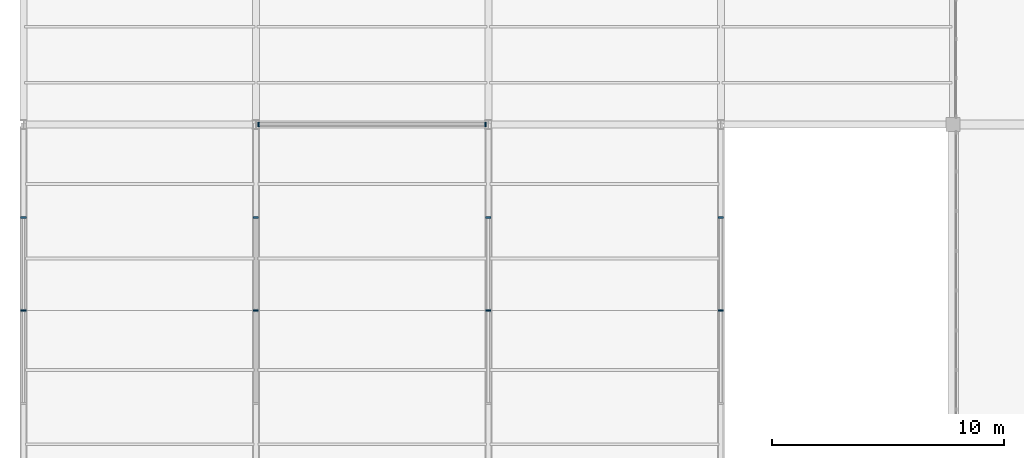
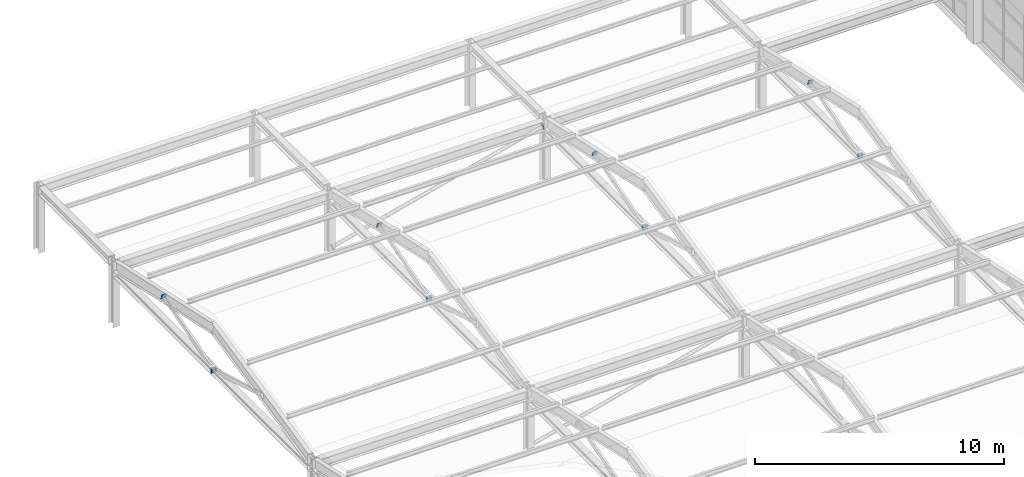
# One storey, part 81 of 109: 14 plates.
"""IFC4 building model written with IfcOpenShell, lengths in metres."""

from ifc_helpers import new_model, si_unit, direction, frame, origin, origin_2d, place, context, subcontext, project, spatial, rectangle, extrude, material, layer, layer_set, type_object, element, save


model = new_model("IFC4")

# Units and contexts
model_context = context("Model", 3, precision=1e-05, world=origin(), true_north=direction((0.0, 1.0)))
body_context = subcontext(model_context, "Body", "Model", "MODEL_VIEW")
ifc_project = project(units=[si_unit("LENGTHUNIT", "METRE"), si_unit("AREAUNIT", "SQUARE_METRE"), si_unit("VOLUMEUNIT", "CUBIC_METRE"), si_unit("PLANEANGLEUNIT", "RADIAN"), si_unit("MASSUNIT", "GRAM", prefix="KILO")], contexts=[model_context])

# Site, building, storey
site_placement = place(None, origin())
site = spatial("IfcSite", under=ifc_project, at=site_placement, CompositionType="ELEMENT")
building_placement = place(site_placement, origin())
building = spatial("IfcBuilding", under=site, at=building_placement, Name="Kivolera Central Railway Station", CompositionType="ELEMENT")
storey_placement = place(building_placement, frame((0.0, 0.0, 9.60009765625)))
storey = spatial("IfcBuildingStorey", under=building, at=storey_placement, Name="L02", CompositionType="ELEMENT", Elevation=9.60009765625)

# Plates
ifc_material = material(Name="Steel S355", Category="steel")
ifc_layer_1 = layer(ifc_material, 0.02001953125, Name="Steel S355")
ifc_layer_set_1 = layer_set([ifc_layer_1], Name="Steel S355")
plate_type_1 = type_object("IfcPlateType", Name="PLT-CAP-210", PredefinedType="SHEET", material=ifc_layer_set_1)
for number, where, z_axis, x_axis, name in (
    (1, (18.123046875, 48.0, 0.2490234375), (0.968639336195, 0.0, 0.24847099705), (0.0, 1.0, 0.0), "Hollow section end-cap plate NP-CAP3"),
    (2, (27.876953125, 48.0, 2.7509765625), (0.968639336195, 0.0, 0.24847099705), (0.0, 1.0, 0.0), "Hollow section end-cap plate NP-CAP3"),
):
    element("IfcPlate", number, at=place(storey_placement, frame(where, z_axis=z_axis, x_axis=x_axis)), inside=storey, type_object=plate_type_1, Name=name, PredefinedType="SHEET", context=body_context, shape_type="SweptSolid", body=[
        extrude(rectangle(XDim=0.2099609375, YDim=0.2099609375, at=origin_2d()), frame((0.0, 0.0, -0.010009765625)), (0.0, 0.0, 1.0), 0.02001953125),
    ])
ifc_layer_2 = layer(ifc_material, 0.02197265625, Name="Steel S355")
ifc_layer_set_2 = layer_set([ifc_layer_2], Name="Steel S355")
plate_type_2 = type_object("IfcPlateType", Name="PLT-CAP-260", PredefinedType="SHEET", material=ifc_layer_set_2)
for number, where, z_axis, x_axis, name in (
    (3, (8.0, 40.00390625, 2.618896484375), (0.0, -0.958810202665, 0.284047522901), (1.0, 0.0, 0.0), "Hollow section end-cap plate NP-CAP2"),
    (4, (8.0, 39.99609375, 2.618896484375), (0.0, 0.958810202665, 0.284047522901), (-1.0, 0.0, 0.0), "Hollow section end-cap plate NP-CAP2"),
    (5, (8.0, 44.00390625, 3.805908203125), (0.0, 0.958810202665, 0.284047522901), (-1.0, 0.0, 0.0), "Hollow section end-cap plate NP-CAP2"),
    (6, (18.0, 40.00390625, 2.618896484375), (0.0, -0.958810202665, 0.284047522901), (1.0, 0.0, 0.0), "Hollow section end-cap plate NP-CAP2"),
    (7, (18.0, 39.99609375, 2.618896484375), (0.0, 0.958810202665, 0.284047522901), (-1.0, 0.0, 0.0), "Hollow section end-cap plate NP-CAP2"),
    (8, (18.0, 44.00390625, 3.805908203125), (0.0, 0.958810202665, 0.284047522901), (-1.0, 0.0, 0.0), "Hollow section end-cap plate NP-CAP2"),
    (9, (28.0, 40.00390625, 2.618896484375), (0.0, -0.958810202665, 0.284047522901), (1.0, 0.0, 0.0), "Hollow section end-cap plate NP-CAP2"),
    (10, (28.0, 39.99609375, 2.618896484375), (0.0, 0.958810202665, 0.284047522901), (-1.0, 0.0, 0.0), "Hollow section end-cap plate NP-CAP2"),
    (11, (28.0, 44.00390625, 3.805908203125), (0.0, 0.958810202665, 0.284047522901), (-1.0, 0.0, 0.0), "Hollow section end-cap plate NP-CAP2"),
    (12, (38.0, 40.00390625, 2.618896484375), (0.0, -0.958810202665, 0.284047522901), (1.0, 0.0, 0.0), "Hollow section end-cap plate NP-CAP2"),
    (13, (38.0, 39.99609375, 2.618896484375), (0.0, 0.958810202665, 0.284047522901), (-1.0, 0.0, 0.0), "Hollow section end-cap plate NP-CAP2"),
    (14, (38.0, 44.00390625, 3.805908203125), (0.0, 0.958810202665, 0.284047522901), (-1.0, 0.0, 0.0), "Hollow section end-cap plate NP-CAP2"),
):
    element("IfcPlate", number, at=place(storey_placement, frame(where, z_axis=z_axis, x_axis=x_axis)), inside=storey, type_object=plate_type_2, Name=name, PredefinedType="SHEET", context=body_context, shape_type="SweptSolid", body=[
        extrude(rectangle(XDim=0.239990234375, YDim=0.239990234375, at=origin_2d()), frame((0.0, 0.0, -0.010986328125)), (0.0, 0.0, 1.0), 0.02197265625),
    ])

save(model, "model.ifc")
